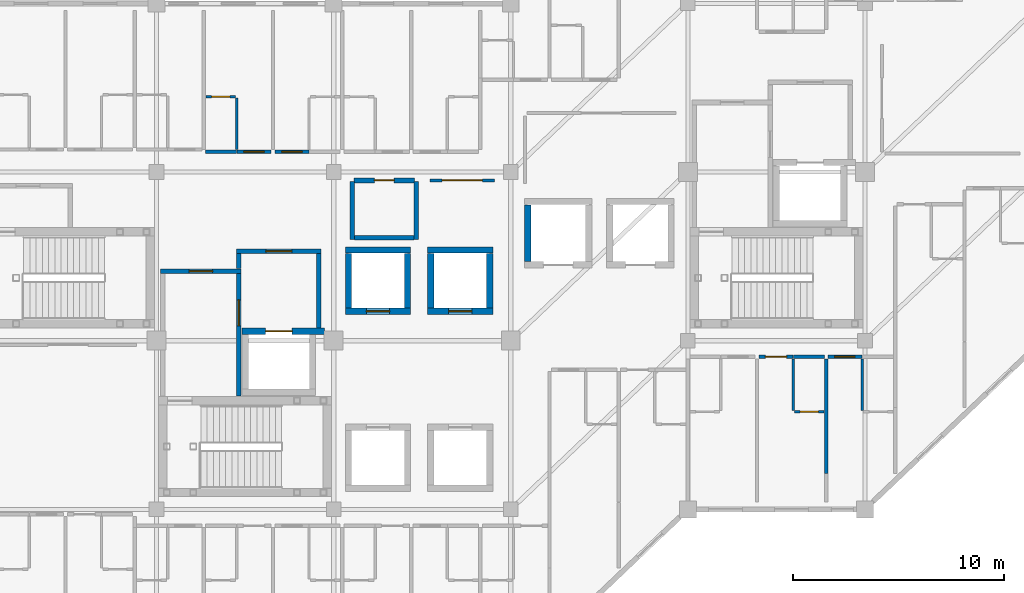
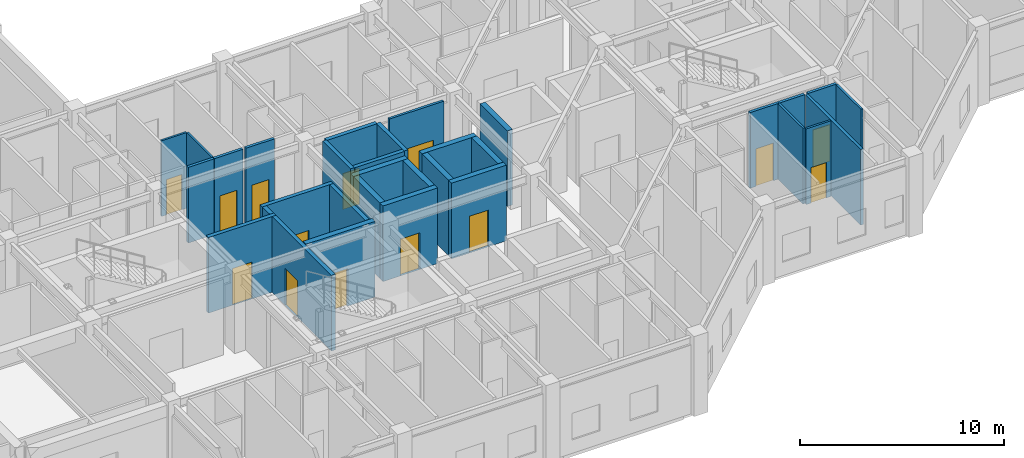
# One storey, part 26 of 37: 32 walls, 14 doors, 14 openings.
"""IFC4 building model written with IfcOpenShell, lengths in metres."""

import ifcopenshell
import ifcopenshell.guid

model = None  # the IFC model being written
_history = None  # IfcOwnerHistory: only IFC2X3 demands one
_inside = {}  # id of a spatial element -> (the spatial element, [elements in it])
_under = {}  # id of a project, library or spatial element -> (it, [spatial elements below it])
_declared = {}  # id of a project -> (the project, [libraries it declares])
_typed = {}  # id of a type object -> (the type object, [elements of that type])
_made_of = {}  # id of a material, layer set ... -> (it, [elements and type objects made of it])


def new_model(schema):
    """Start an empty IFC model of exactly this schema.

    Asked for "IFC4X3", IfcOpenShell would pick the latest addendum, in which some entities
    have other attributes; the version numbers below select the first issue.
    IFC2X3 requires an IfcOwnerHistory on every rooted entity: one is made here for all.
    """
    global model, _history
    if schema == "IFC4X3":
        model = ifcopenshell.file(schema_version=(4, 3, 0, 0))
    else:
        model = ifcopenshell.file(schema=schema)
    _inside.clear()
    _under.clear()
    _declared.clear()
    _typed.clear()
    _made_of.clear()
    _history = None
    if model.schema == "IFC2X3":
        org = make("IfcOrganization", Name="unknown")
        user = make(
            "IfcPersonAndOrganization",
            ThePerson=make("IfcPerson", FamilyName="unknown"),
            TheOrganization=org,
        )
        app = make(
            "IfcApplication",
            ApplicationDeveloper=org,
            Version="unknown",
            ApplicationFullName="unknown",
            ApplicationIdentifier="unknown",
        )
        _history = make(
            "IfcOwnerHistory",
            OwningUser=user,
            OwningApplication=app,
            ChangeAction="ADDED",
            CreationDate=0,
        )
    return model


def make(cls, **values):
    """One entity of the class cls with the attributes given. An attribute that is None is left unset."""
    return model.create_entity(
        cls, **{name: value for name, value in values.items() if value is not None}
    )


def rooted(cls, **values):
    """An entity with a GlobalId (a new one), such as an element, a storey or a relation."""
    return make(cls, GlobalId=ifcopenshell.guid.new(), OwnerHistory=_history, **values)


def si_unit(unit_type, name, prefix=None):
    """IfcSIUnit, for example si_unit("LENGTHUNIT", "METRE", prefix="MILLI")."""
    return make("IfcSIUnit", UnitType=unit_type, Prefix=prefix, Name=name)


def assignment(units):
    """IfcUnitAssignment: the units of a project."""
    return None if units is None else make("IfcUnitAssignment", Units=units)


def point(xyz):
    """IfcCartesianPoint."""
    return None if xyz is None else make("IfcCartesianPoint", Coordinates=xyz)


def direction(xyz):
    """IfcDirection."""
    return None if xyz is None else make("IfcDirection", DirectionRatios=xyz)


def frame(location, z_axis=None, x_axis=None):
    """IfcAxis2Placement3D, a coordinate frame: its origin and axes. An axis left out is left unset."""
    return make(
        "IfcAxis2Placement3D",
        Location=point(location),
        Axis=direction(z_axis),
        RefDirection=direction(x_axis),
    )


def frame_2d(location, x_axis=None):
    """IfcAxis2Placement2D, a coordinate frame in the plane: its origin and x axis."""
    return make(
        "IfcAxis2Placement2D", Location=point(location), RefDirection=direction(x_axis)
    )


def origin():
    """The frame at (0, 0, 0) with its axes left unset."""
    return frame((0.0, 0.0, 0.0))


def place(relative_to, where):
    """IfcLocalPlacement: puts the frame where relative to a parent placement (None: the world)."""
    return make(
        "IfcLocalPlacement", PlacementRelTo=relative_to, RelativePlacement=where
    )


def context(
    kind, dimensions, precision=None, world=None, true_north=None, identifier=None
):
    """IfcGeometricRepresentationContext, for example the 3D "Model" context."""
    return make(
        "IfcGeometricRepresentationContext",
        ContextIdentifier=identifier,
        ContextType=kind,
        CoordinateSpaceDimension=dimensions,
        Precision=precision,
        WorldCoordinateSystem=world,
        TrueNorth=true_north,
    )


def subcontext(parent, identifier, kind, view, scale=None):
    """IfcGeometricRepresentationSubContext, for example "Body" below "Model"."""
    return make(
        "IfcGeometricRepresentationSubContext",
        ContextIdentifier=identifier,
        ContextType=kind,
        ParentContext=parent,
        TargetScale=scale,
        TargetView=view,
    )


def project(units=None, contexts=None):
    """IfcProject with its units and contexts."""
    return rooted(
        "IfcProject",
        Name="project",
        RepresentationContexts=contexts,
        UnitsInContext=assignment(units),
    )


def spatial(cls, under=None, at=None, **own):
    """A site, building, storey or space (cls), placed at a placement, below another one or the project."""
    s = rooted(cls, ObjectPlacement=at, **own)
    if under is not None:
        _under.setdefault(under.id(), (under, []))[1].append(s)
    return s


def profile(cls, at=None, kind="AREA", **sizes):
    """A parametric profile (cls). Its sizes go by their IFC names, for example OverallWidth=200.0."""
    return make(cls, ProfileType=kind, Position=at, **sizes)


def rectangle(**sizes):
    """IfcRectangleProfileDef."""
    return profile("IfcRectangleProfileDef", **sizes)


def extrude(swept, where, along, depth):
    """IfcExtrudedAreaSolid: the profile swept, set in the frame where, extruded along a direction by depth."""
    return make(
        "IfcExtrudedAreaSolid",
        SweptArea=swept,
        Position=where,
        ExtrudedDirection=direction(along),
        Depth=depth,
    )


def shape(context_of_items, identifier, shape_type, items):
    """IfcShapeRepresentation: the items that make up one representation, for example the "Body"."""
    return make(
        "IfcShapeRepresentation",
        ContextOfItems=context_of_items,
        RepresentationIdentifier=identifier,
        RepresentationType=shape_type,
        Items=items,
    )


def material(Name=None, Category=None):
    """IfcMaterial."""
    return make("IfcMaterial", Name=Name, Category=Category)


def layer(
    of_material, thickness, ventilated=None, Name=None, Category=None, Priority=None
):
    """IfcMaterialLayer: one layer of a wall or slab, of a material (None: an air gap)."""
    return make(
        "IfcMaterialLayer",
        Material=of_material,
        LayerThickness=thickness,
        IsVentilated=ventilated,
        Name=Name,
        Category=Category,
        Priority=Priority,
    )


def layer_set(layers, Name=None):
    """IfcMaterialLayerSet."""
    return make("IfcMaterialLayerSet", MaterialLayers=layers, LayerSetName=Name)


def made_of(thing, what):
    """Note that an element or type object is made of a material, layer set ...; save() writes the relation."""
    if what is not None:
        _made_of.setdefault(what.id(), (what, []))[1].append(thing)
    return thing


def type_object(cls, material=None, **own):
    """A type object (cls), such as IfcWallType, which elements share."""
    return made_of(rooted(cls, **own), material)


def element(
    cls,
    number,
    at=None,
    inside=None,
    cuts=None,
    type_object=None,
    material=None,
    context=None,
    identifier="Body",
    shape_type=None,
    held_by="IfcProductDefinitionShape",
    body=None,
    shapes=None,
    **own,
):
    """One element of the class cls, such as IfcWall. Its Tag is "e" and its number.

    at: its placement. inside: the storey or other place that contains it. cuts: it is an
    opening in that element (IfcRelVoidsElement). A single representation is given by context,
    identifier, shape_type and body (its items); several are given by shapes. held_by: the class
    of the entity that holds the representations. save() writes the other relations.
    """
    e = rooted(cls, Tag="e%d" % number, ObjectPlacement=at, **own)
    if body is not None:
        shapes = [shape(context, identifier, shape_type, body)]
    if shapes is not None:
        e.Representation = make(held_by, Representations=shapes)
    if inside is not None:
        _inside.setdefault(inside.id(), (inside, []))[1].append(e)
    if cuts is not None:
        rooted(
            "IfcRelVoidsElement", RelatingBuildingElement=cuts, RelatedOpeningElement=e
        )
    if type_object is not None:
        _typed.setdefault(type_object.id(), (type_object, []))[1].append(e)
    return made_of(e, material)


def fill(opening, filler):
    """IfcRelFillsElement: the door or window that sits in an opening."""
    return rooted(
        "IfcRelFillsElement",
        RelatingOpeningElement=opening,
        RelatedBuildingElement=filler,
    )


def aggregate(whole, parts):
    """IfcRelAggregates: a whole, such as a stair, and the parts it consists of."""
    return rooted("IfcRelAggregates", RelatingObject=whole, RelatedObjects=parts)


def save(model, path):
    """Write the relations noted so far, then the file.

    IfcRelAggregates (storeys below a building ...), IfcRelContainedInSpatialStructure (elements
    in a storey), IfcRelDefinesByType, IfcRelAssociatesMaterial and IfcRelDeclares: one each for
    every whole, place, type object, material and project.
    """
    for whole, parts in _under.values():
        aggregate(whole, parts)
    for where, things in _inside.values():
        rooted(
            "IfcRelContainedInSpatialStructure",
            RelatedElements=things,
            RelatingStructure=where,
        )
    for kind, things in _typed.values():
        rooted("IfcRelDefinesByType", RelatedObjects=things, RelatingType=kind)
    for what, things in _made_of.values():
        rooted("IfcRelAssociatesMaterial", RelatedObjects=things, RelatingMaterial=what)
    for by, libraries in _declared.values():
        rooted("IfcRelDeclares", RelatingContext=by, RelatedDefinitions=libraries)
    model.write(path)


model = new_model("IFC4")

# Units and contexts
model_context = context("Model", 3, precision=1e-05, world=origin(), true_north=direction((0.0, 1.0)))
body_context = subcontext(model_context, "Body", "Model", "MODEL_VIEW")
ifc_project = project(units=[si_unit("LENGTHUNIT", "METRE"), si_unit("AREAUNIT", "SQUARE_METRE"), si_unit("VOLUMEUNIT", "CUBIC_METRE"), si_unit("PLANEANGLEUNIT", "RADIAN"), si_unit("MASSUNIT", "GRAM", prefix="KILO")], contexts=[model_context])

# Site, building, storey
site_placement = place(None, origin())
site = spatial("IfcSite", under=ifc_project, at=site_placement, CompositionType="ELEMENT")
building_placement = place(site_placement, origin())
building = spatial("IfcBuilding", under=site, at=building_placement, Name="Naruveol Harbour Congress Hotel", CompositionType="ELEMENT")
storey_placement = place(building_placement, frame((0.0, 0.0, 16.199951171875)))
storey = spatial("IfcBuildingStorey", under=building, at=storey_placement, Name="L03", CompositionType="ELEMENT", Elevation=16.199951171875)

# Wall, opening, door
ifc_material_1 = material(Name="Acoustic Double Stud Gypsum", Category="gypsum")
ifc_layer_1 = layer(ifc_material_1, 0.139892578125)
ifc_layer_set_1 = layer_set([ifc_layer_1], Name="Acoustic Double Stud Gypsum")
wall_type_1 = type_object("IfcWallType", Name="ACOUSTIC MEETING PARTITION WALL 140", PredefinedType="PARTITIONING", material=ifc_layer_set_1)
wall_1_placement = place(storey_placement, frame((138.9599609375, 23.60009765625, 0.0), z_axis=(0.0, 0.0, 1.0), x_axis=(1.0, 0.0, 0.0)))
wall_1 = element("IfcWall", 1, at=wall_1_placement, inside=storey, type_object=wall_type_1, Name="Reading Salon north entry wall PW-140", PredefinedType="PARTITIONING", context=body_context, shape_type="SweptSolid", body=[
    extrude(rectangle(XDim=3.080078125, YDim=0.139892578125, at=frame_2d((1.5400390625, 0.0))), origin(), (0.0, 0.0, 1.0), 4.53515625),
])
opening_1_placement = place(wall_1_placement, frame((0.590087890625, 0.0, 0.0)))
opening_1 = element("IfcOpeningElement", 2, at=opening_1_placement, cuts=wall_1, Name="Opening ID-LG-90", PredefinedType="OPENING", context=body_context, shape_type="SweptSolid", body=[
    extrude(rectangle(XDim=1.89990234375, YDim=2.39990234375, at=frame_2d((0.949951171875, 1.199951171875))), frame((0.0, 0.079833984375, 0.0), z_axis=(0.0, -1.0, 0.0), x_axis=(1.0, 0.0, 0.0)), (0.0, 0.0, 1.0), 0.159912109375),
])
ifc_material_2 = material(Name="Timber & Steel Acoustic Leaf", Category="steel")
door_type_1 = type_object("IfcDoorType", Name="RESTAURANT AND LOUNGE GLAZED DOOR 1900X2400", OperationType="DOUBLE_DOOR_SINGLE_SWING", PredefinedType="DOOR", material=ifc_material_2)
door_1_placement = place(opening_1_placement, origin())
door_1 = element("IfcDoor", 3, at=door_1_placement, inside=storey, type_object=door_type_1, Name="Reading Salon Entrance Door", OperationType="DOUBLE_DOOR_SINGLE_SWING", OverallHeight=2.39990234375, OverallWidth=1.89990234375, PredefinedType="DOOR", context=body_context, shape_type="SweptSolid", body=[
    extrude(rectangle(XDim=1.89990234375, YDim=2.39990234375, at=frame_2d((0.949951171875, 1.199951171875))), frame((0.0, 0.02490234375, 0.0), z_axis=(0.0, -1.0, 0.0), x_axis=(1.0, 0.0, 0.0)), (0.0, 0.0, 1.0), 0.050048828125),
])
fill(opening_1, door_1)

# Wall
ifc_material_3 = material(Name="Moisture-Resistant Gypsum Partition", Category="gypsum")
ifc_layer_2 = layer(ifc_material_3, 0.114990234375)
ifc_layer_set_2 = layer_set([ifc_layer_2], Name="Moisture-Resistant Gypsum Partition")
wall_type_2 = type_object("IfcWallType", Name="BATHROOM MOISTURE PARTITION WALL 115", PredefinedType="PARTITIONING", material=ifc_layer_set_2)
wall_2_placement = place(storey_placement, frame((129.81005859375, 25.06005859375, 0.0), z_axis=(0.0, 0.0, 1.0), x_axis=(0.0, 1.0, 0.0)))
element("IfcWall", 4, at=wall_2_placement, inside=storey, type_object=wall_type_2, Name="Bathroom east wall 0460 PW-115", PredefinedType="PARTITIONING", context=body_context, shape_type="SweptSolid", body=[
    extrude(rectangle(XDim=2.449951171875, YDim=0.114990234375, at=frame_2d((1.22509765625, 0.0))), origin(), (0.0, 0.0, 1.0), 4.53515625),
])

# Wall, opening, door
wall_3_placement = place(storey_placement, frame((128.340087890625, 27.570068359375, 0.0), z_axis=(0.0, 0.0, 1.0), x_axis=(1.0, 0.0, 0.0)))
wall_3 = element("IfcWall", 5, at=wall_3_placement, inside=storey, type_object=wall_type_2, Name="Bathroom north wall 0460 PW-115", PredefinedType="PARTITIONING", context=body_context, shape_type="SweptSolid", body=[
    extrude(rectangle(XDim=1.409912109375, YDim=0.114990234375, at=frame_2d((0.705078125, 0.0))), origin(), (0.0, 0.0, 1.0), 4.53515625),
])
opening_2_placement = place(wall_3_placement, frame((0.27490234375, 0.0, 0.0)))
opening_2 = element("IfcOpeningElement", 6, at=opening_2_placement, cuts=wall_3, Name="Opening BD-RM0460", PredefinedType="OPENING", context=body_context, shape_type="SweptSolid", body=[
    extrude(rectangle(XDim=0.860107421875, YDim=2.1201171875, at=frame_2d((0.43017578125, 1.06005859375))), frame((0.0, 0.0673828125, 0.0), z_axis=(0.0, -1.0, 0.0), x_axis=(1.0, 0.0, 0.0)), (0.0, 0.0, 1.0), 0.135009765625),
])
ifc_material_4 = material(Name="Timber & Steel Acoustic Leaf", Category="steel")
door_type_2 = type_object("IfcDoorType", Name="GUEST BATHROOM DOOR 860X2120", OperationType="NOTDEFINED", PredefinedType="DOOR", material=ifc_material_4)
door_2_placement = place(opening_2_placement, origin())
door_2 = element("IfcDoor", 7, at=door_2_placement, inside=storey, type_object=door_type_2, Name="Bathroom Door 0460", OperationType="SINGLE_SWING_RIGHT", OverallHeight=2.1201171875, OverallWidth=0.860107421875, PredefinedType="DOOR", context=body_context, shape_type="SweptSolid", body=[
    extrude(rectangle(XDim=0.860107421875, YDim=2.1201171875, at=frame_2d((0.43017578125, 1.06005859375))), frame((0.0, 0.02490234375, 0.0), z_axis=(0.0, -1.0, 0.0), x_axis=(1.0, 0.0, 0.0)), (0.0, 0.0, 1.0), 0.050048828125),
])
fill(opening_2, door_2)

# Wall
wall_4_placement = place(storey_placement, frame((156.18994140625, 12.68994140625, 0.0), z_axis=(0.0, 0.0, 1.0), x_axis=(0.0, 1.0, 0.0)))
element("IfcWall", 8, at=wall_4_placement, inside=storey, type_object=wall_type_2, Name="Bathroom west wall 0448 PW-115", PredefinedType="PARTITIONING", context=body_context, shape_type="SweptSolid", body=[
    extrude(rectangle(XDim=2.449951171875, YDim=0.114990234375, at=frame_2d((1.22509765625, 0.0))), origin(), (0.0, 0.0, 1.0), 4.53515625),
])

# Wall, opening, door
wall_5_placement = place(storey_placement, frame((156.25, 12.6298828125, 0.0), z_axis=(0.0, 0.0, 1.0), x_axis=(1.0, 0.0, 0.0)))
wall_5 = element("IfcWall", 9, at=wall_5_placement, inside=storey, type_object=wall_type_2, Name="Bathroom south wall 0448 PW-115", PredefinedType="PARTITIONING", context=body_context, shape_type="SweptSolid", body=[
    extrude(rectangle(XDim=1.409912109375, YDim=0.114990234375, at=frame_2d((0.705078125, 0.0))), origin(), (0.0, 0.0, 1.0), 4.53515625),
])
opening_3_placement = place(wall_5_placement, frame((0.27490234375, 0.0, 0.0)))
opening_3 = element("IfcOpeningElement", 10, at=opening_3_placement, cuts=wall_5, Name="Opening BD-RM0448", PredefinedType="OPENING", context=body_context, shape_type="SweptSolid", body=[
    extrude(rectangle(XDim=0.860107421875, YDim=2.1201171875, at=frame_2d((0.43017578125, 1.06005859375))), frame((0.0, 0.0673828125, 0.0), z_axis=(0.0, -1.0, 0.0), x_axis=(1.0, 0.0, 0.0)), (0.0, 0.0, 1.0), 0.135009765625),
])
door_3_placement = place(opening_3_placement, origin())
door_3 = element("IfcDoor", 11, at=door_3_placement, inside=storey, type_object=door_type_2, Name="Bathroom Door 0448", OperationType="SINGLE_SWING_RIGHT", OverallHeight=2.1201171875, OverallWidth=0.860107421875, PredefinedType="DOOR", context=body_context, shape_type="SweptSolid", body=[
    extrude(rectangle(XDim=0.860107421875, YDim=2.1201171875, at=frame_2d((0.43017578125, 1.06005859375))), frame((0.0, 0.02490234375, 0.0), z_axis=(0.0, -1.0, 0.0), x_axis=(1.0, 0.0, 0.0)), (0.0, 0.0, 1.0), 0.050048828125),
])
fill(opening_3, door_3)

# Wall
wall_6_placement = place(storey_placement, frame((159.469970703125, 12.68994140625, 0.0), z_axis=(0.0, 0.0, 1.0), x_axis=(0.0, 1.0, 0.0)))
element("IfcWall", 12, at=wall_6_placement, inside=storey, type_object=wall_type_2, Name="Bathroom west wall 0449 PW-115", PredefinedType="PARTITIONING", context=body_context, shape_type="SweptSolid", body=[
    extrude(rectangle(XDim=2.449951171875, YDim=0.114990234375, at=frame_2d((1.22509765625, 0.0))), origin(), (0.0, 0.0, 1.0), 4.53515625),
])

# Wall, opening, door
ifc_material_5 = material(Name="Concrete C40/50", Category="concrete")
ifc_layer_3 = layer(ifc_material_5, 0.219970703125)
ifc_layer_set_3 = layer_set([ifc_layer_3], Name="Concrete C40/50")
wall_type_3 = type_object("IfcWallType", Name="FIRE COMPARTMENT AND LOBBY WALL 220 EI120", PredefinedType="PARTITIONING", material=ifc_layer_set_3)
wall_7_placement = place(storey_placement, frame((126.18994140625, 19.300048828125, 0.0), z_axis=(0.0, 0.0, 1.0), x_axis=(1.0, 0.0, 0.0)))
wall_7 = element("IfcWall", 13, at=wall_7_placement, inside=storey, type_object=wall_type_3, Name="Smoke vestibule ST1 north wall FW-220", PredefinedType="PARTITIONING", context=body_context, shape_type="SweptSolid", body=[
    extrude(rectangle(XDim=3.820068359375, YDim=0.219970703125, at=frame_2d((1.91015625, 0.0))), origin(), (0.0, 0.0, 1.0), 4.53515625),
])
opening_4_placement = place(wall_7_placement, frame((1.35009765625, 0.0, 0.0)))
opening_4 = element("IfcOpeningElement", 14, at=opening_4_placement, cuts=wall_7, Name="Opening FD-ST1-V-L03", PredefinedType="OPENING", context=body_context, shape_type="SweptSolid", body=[
    extrude(rectangle(XDim=1.1201171875, YDim=2.199951171875, at=frame_2d((0.56005859375, 1.10009765625))), frame((0.0, 0.119873046875, 0.0), z_axis=(0.0, -1.0, 0.0), x_axis=(1.0, 0.0, 0.0)), (0.0, 0.0, 1.0), 0.239990234375),
])
ifc_material_6 = material(Name="Timber & Steel Acoustic Leaf", Category="steel")
door_type_3 = type_object("IfcDoorType", Name="VESTIBULE SMOKE CONTROL FIRE DOOR 1120X2200", OperationType="NOTDEFINED", PredefinedType="DOOR", material=ifc_material_6)
door_4_placement = place(opening_4_placement, origin())
door_4 = element("IfcDoor", 15, at=door_4_placement, inside=storey, type_object=door_type_3, Name="Smoke Vestibule Entry Door ST1 L03", OperationType="SINGLE_SWING_LEFT", OverallHeight=2.199951171875, OverallWidth=1.1201171875, PredefinedType="DOOR", context=body_context, shape_type="SweptSolid", body=[
    extrude(rectangle(XDim=1.1201171875, YDim=2.199951171875, at=frame_2d((0.56005859375, 1.10009765625))), frame((0.0, 0.02490234375, 0.0), z_axis=(0.0, -1.0, 0.0), x_axis=(1.0, 0.0, 0.0)), (0.0, 0.0, 1.0), 0.050048828125),
])
fill(opening_4, door_4)

wall_8_placement = place(storey_placement, frame((129.89990234375, 13.364990234375, 0.0), z_axis=(0.0, 0.0, 1.0), x_axis=(0.0, 1.0, 0.0)))
wall_8 = element("IfcWall", 16, at=wall_8_placement, inside=storey, type_object=wall_type_3, Name="Smoke vestibule ST1 east wall FW-220", PredefinedType="PARTITIONING", context=body_context, shape_type="SweptSolid", body=[
    extrude(rectangle(XDim=5.820068359375, YDim=0.219970703125, at=frame_2d((2.91015625, 0.0))), origin(), (0.0, 0.0, 1.0), 4.53515625),
])
opening_5_placement = place(wall_8_placement, frame((3.3349609375, 0.0, 0.0)))
opening_5 = element("IfcOpeningElement", 17, at=opening_5_placement, cuts=wall_8, Name="Opening FD-FFL-ST1-L03", PredefinedType="OPENING", context=body_context, shape_type="SweptSolid", body=[
    extrude(rectangle(XDim=1.239990234375, YDim=2.199951171875, at=frame_2d((0.6201171875, 1.10009765625))), frame((0.0, 0.119873046875, 0.0), z_axis=(0.0, -1.0, 0.0), x_axis=(1.0, 0.0, 0.0)), (0.0, 0.0, 1.0), 0.239990234375),
])
ifc_material_7 = material(Name="Timber & Steel Acoustic Leaf", Category="steel")
door_type_4 = type_object("IfcDoorType", Name="FIREFIGHTING LOBBY FIRE DOOR 1240X2200", OperationType="NOTDEFINED", PredefinedType="DOOR", material=ifc_material_7)
door_5_placement = place(opening_5_placement, origin())
door_5 = element("IfcDoor", 18, at=door_5_placement, inside=storey, type_object=door_type_4, Name="Firefighting Lobby Vestibule Door ST1 L03", OperationType="SINGLE_SWING_RIGHT", OverallHeight=2.199951171875, OverallWidth=1.239990234375, PredefinedType="DOOR", context=body_context, shape_type="SweptSolid", body=[
    extrude(rectangle(XDim=1.239990234375, YDim=2.199951171875, at=frame_2d((0.6201171875, 1.10009765625))), frame((0.0, 0.02490234375, 0.0), z_axis=(0.0, -1.0, 0.0), x_axis=(1.0, 0.0, 0.0)), (0.0, 0.0, 1.0), 0.050048828125),
])
fill(opening_5, door_5)

# Walls
wall_9_placement = place(storey_placement, frame((129.89990234375, 19.4150390625, 0.0), z_axis=(0.0, 0.0, 1.0), x_axis=(0.0, 1.0, 0.0)))
element("IfcWall", 19, at=wall_9_placement, inside=storey, type_object=wall_type_3, Name="Firefighting lift lobby ST1 upper west wall FW-220", PredefinedType="PARTITIONING", context=body_context, shape_type="SweptSolid", body=[
    extrude(rectangle(XDim=0.719970703125, YDim=0.219970703125, at=frame_2d((0.35986328125, 0.0))), origin(), (0.0, 0.0, 1.0), 4.53515625),
])
wall_10_placement = place(storey_placement, frame((133.699951171875, 16.60498046875, 0.0), z_axis=(0.0, 0.0, 1.0), x_axis=(0.0, 1.0, 0.0)))
element("IfcWall", 20, at=wall_10_placement, inside=storey, type_object=wall_type_3, Name="Firefighting lift lobby ST1 east wall FW-220", PredefinedType="PARTITIONING", context=body_context, shape_type="SweptSolid", body=[
    extrude(rectangle(XDim=3.530029296875, YDim=0.219970703125, at=frame_2d((1.76513671875, 0.0))), origin(), (0.0, 0.0, 1.0), 4.53515625),
])

# Wall, opening, door
wall_11_placement = place(storey_placement, frame((129.7900390625, 20.25, 0.0), z_axis=(0.0, 0.0, 1.0), x_axis=(1.0, 0.0, 0.0)))
wall_11 = element("IfcWall", 21, at=wall_11_placement, inside=storey, type_object=wall_type_3, Name="Firefighting lift lobby ST1 north wall FW-220", PredefinedType="PARTITIONING", context=body_context, shape_type="SweptSolid", body=[
    extrude(rectangle(XDim=4.02001953125, YDim=0.219970703125, at=frame_2d((2.010009765625, 0.0))), origin(), (0.0, 0.0, 1.0), 4.53515625),
])
opening_6_placement = place(wall_11_placement, frame((1.389892578125, 0.0, 0.0)))
opening_6 = element("IfcOpeningElement", 22, at=opening_6_placement, cuts=wall_11, Name="Opening FD-FFC-ST1-L03", PredefinedType="OPENING", context=body_context, shape_type="SweptSolid", body=[
    extrude(rectangle(XDim=1.239990234375, YDim=2.199951171875, at=frame_2d((0.6201171875, 1.10009765625))), frame((0.0, 0.119873046875, 0.0), z_axis=(0.0, -1.0, 0.0), x_axis=(1.0, 0.0, 0.0)), (0.0, 0.0, 1.0), 0.239990234375),
])
door_6_placement = place(opening_6_placement, origin())
door_6 = element("IfcDoor", 23, at=door_6_placement, inside=storey, type_object=door_type_4, Name="Firefighting Lobby Corridor Door ST1 L03", OperationType="SINGLE_SWING_LEFT", OverallHeight=2.199951171875, OverallWidth=1.239990234375, PredefinedType="DOOR", context=body_context, shape_type="SweptSolid", body=[
    extrude(rectangle(XDim=1.239990234375, YDim=2.199951171875, at=frame_2d((0.6201171875, 1.10009765625))), frame((0.0, 0.02490234375, 0.0), z_axis=(0.0, -1.0, 0.0), x_axis=(1.0, 0.0, 0.0)), (0.0, 0.0, 1.0), 0.050048828125),
])
fill(opening_6, door_6)

wall_12_placement = place(storey_placement, frame((135.360107421875, 23.60009765625, 0.0), z_axis=(0.0, 0.0, 1.0), x_axis=(1.0, 0.0, 0.0)))
wall_12 = element("IfcWall", 24, at=wall_12_placement, inside=storey, type_object=wall_type_3, Name="Housekeeping Pantry north entry wall FW-220", PredefinedType="PARTITIONING", context=body_context, shape_type="SweptSolid", body=[
    extrude(rectangle(XDim=2.8798828125, YDim=0.219970703125, at=frame_2d((1.43994140625, 0.0))), origin(), (0.0, 0.0, 1.0), 4.53515625),
])
opening_7_placement = place(wall_12_placement, frame((0.969970703125, 0.0, 0.0)))
opening_7 = element("IfcOpeningElement", 25, at=opening_7_placement, cuts=wall_12, Name="Opening FD-ST-92", PredefinedType="OPENING", context=body_context, shape_type="SweptSolid", body=[
    extrude(rectangle(XDim=0.93994140625, YDim=2.14990234375, at=frame_2d((0.469970703125, 1.074951171875))), frame((0.0, 0.119873046875, 0.0), z_axis=(0.0, -1.0, 0.0), x_axis=(1.0, 0.0, 0.0)), (0.0, 0.0, 1.0), 0.239990234375),
])
ifc_material_8 = material(Name="Timber & Steel Acoustic Leaf", Category="steel")
door_type_5 = type_object("IfcDoorType", Name="HOUSEKEEPING AND STORE FIRE DOOR 940X2150", OperationType="NOTDEFINED", PredefinedType="DOOR", material=ifc_material_8)
door_7_placement = place(opening_7_placement, origin())
door_7 = element("IfcDoor", 26, at=door_7_placement, inside=storey, type_object=door_type_5, Name="Housekeeping Pantry Fire Door", OperationType="SINGLE_SWING_RIGHT", OverallHeight=2.14990234375, OverallWidth=0.93994140625, PredefinedType="DOOR", context=body_context, shape_type="SweptSolid", body=[
    extrude(rectangle(XDim=0.93994140625, YDim=2.14990234375, at=frame_2d((0.469970703125, 1.074951171875))), frame((0.0, 0.02490234375, 0.0), z_axis=(0.0, -1.0, 0.0), x_axis=(1.0, 0.0, 0.0)), (0.0, 0.0, 1.0), 0.050048828125),
])
fill(opening_7, door_7)

# Walls
for number, where, z_axis, x_axis, name in (
    (27, (135.280029296875, 20.800048828125, 0.0), (0.0, 0.0, 1.0), (0.0, 1.0, 0.0), "Housekeeping Pantry west enclosure partition FW-220"),
    (28, (138.320068359375, 20.800048828125, 0.0), (0.0, 0.0, 1.0), (0.0, 1.0, 0.0), "Housekeeping Pantry east enclosure partition FW-220"),
):
    element("IfcWall", number, at=place(storey_placement, frame(where, z_axis=z_axis, x_axis=x_axis)), inside=storey, type_object=wall_type_3, Name=name, PredefinedType="PARTITIONING", context=body_context, shape_type="SweptSolid", body=[
        extrude(rectangle(XDim=2.748046875, YDim=0.219970703125, at=frame_2d((1.3740234375, 0.0))), origin(), (0.0, 0.0, 1.0), 4.53515625),
    ])
wall_13_placement = place(storey_placement, frame((135.389892578125, 20.8798828125, 0.0), z_axis=(0.0, 0.0, 1.0), x_axis=(1.0, 0.0, 0.0)))
element("IfcWall", 29, at=wall_13_placement, inside=storey, type_object=wall_type_3, Name="Housekeeping Pantry south enclosure partition FW-220", PredefinedType="PARTITIONING", context=body_context, shape_type="SweptSolid", body=[
    extrude(rectangle(XDim=2.820068359375, YDim=0.219970703125, at=frame_2d((1.41015625, 0.0))), origin(), (0.0, 0.0, 1.0), 4.53515625),
])
ifc_material_9 = material(Name="Autoclaved Aerated Concrete Block", Category="concrete")
ifc_layer_4 = layer(ifc_material_9, 0.159912109375)
ifc_layer_set_4 = layer_set([ifc_layer_4], Name="Autoclaved Aerated Concrete Block")
wall_type_4 = type_object("IfcWallType", Name="HOTEL PARTY AND CORRIDOR WALL 160 EI60", PredefinedType="PARTITIONING", material=ifc_layer_set_4)
wall_14_placement = place(storey_placement, frame((128.330078125, 24.969970703125, 0.0), z_axis=(0.0, 0.0, 1.0), x_axis=(1.0, 0.0, 0.0)))
element("IfcWall", 30, at=wall_14_placement, inside=storey, type_object=wall_type_4, Name="Corridor wall 0460B PW-160", PredefinedType="PARTITIONING", context=body_context, shape_type="SweptSolid", body=[
    extrude(rectangle(XDim=1.469970703125, YDim=0.159912109375, at=frame_2d((0.73486328125, 0.0))), origin(), (0.0, 0.0, 1.0), 4.53515625),
])

# Wall, opening, door
wall_15_placement = place(storey_placement, frame((129.81005859375, 24.969970703125, 0.0), z_axis=(0.0, 0.0, 1.0), x_axis=(1.0, 0.0, 0.0)))
wall_15 = element("IfcWall", 31, at=wall_15_placement, inside=storey, type_object=wall_type_4, Name="Corridor entry wall 0460 PW-160", PredefinedType="PARTITIONING", context=body_context, shape_type="SweptSolid", body=[
    extrude(rectangle(XDim=1.619873046875, YDim=0.159912109375, at=frame_2d((0.81005859375, 0.0))), origin(), (0.0, 0.0, 1.0), 4.53515625),
])
opening_8_placement = place(wall_15_placement, frame((0.330078125, 0.0, 0.0)))
opening_8 = element("IfcOpeningElement", 32, at=opening_8_placement, cuts=wall_15, Name="Opening FD-RM0460", PredefinedType="OPENING", context=body_context, shape_type="SweptSolid", body=[
    extrude(rectangle(XDim=0.9599609375, YDim=2.199951171875, at=frame_2d((0.47998046875, 1.10009765625))), frame((0.0, 0.08984375, 0.0), z_axis=(0.0, -1.0, 0.0), x_axis=(1.0, 0.0, 0.0)), (0.0, 0.0, 1.0), 0.179931640625),
])
ifc_material_10 = material(Name="Timber & Steel Acoustic Leaf", Category="steel")
door_type_6 = type_object("IfcDoorType", Name="GUEST ROOM ENTRANCE FIRE DOOR 960X2200", OperationType="NOTDEFINED", PredefinedType="DOOR", material=ifc_material_10)
door_8_placement = place(opening_8_placement, origin())
door_8 = element("IfcDoor", 33, at=door_8_placement, inside=storey, type_object=door_type_6, Name="Hotel Room Door 0460", OperationType="SINGLE_SWING_LEFT", OverallHeight=2.199951171875, OverallWidth=0.9599609375, PredefinedType="DOOR", context=body_context, shape_type="SweptSolid", body=[
    extrude(rectangle(XDim=0.9599609375, YDim=2.199951171875, at=frame_2d((0.47998046875, 1.10009765625))), frame((0.0, 0.02490234375, 0.0), z_axis=(0.0, -1.0, 0.0), x_axis=(1.0, 0.0, 0.0)), (0.0, 0.0, 1.0), 0.050048828125),
])
fill(opening_8, door_8)

wall_16_placement = place(storey_placement, frame((131.610107421875, 24.969970703125, 0.0), z_axis=(0.0, 0.0, 1.0), x_axis=(1.0, 0.0, 0.0)))
wall_16 = element("IfcWall", 34, at=wall_16_placement, inside=storey, type_object=wall_type_4, Name="Corridor entry wall 0461 PW-160", PredefinedType="PARTITIONING", context=body_context, shape_type="SweptSolid", body=[
    extrude(rectangle(XDim=1.619873046875, YDim=0.159912109375, at=frame_2d((0.81005859375, 0.0))), origin(), (0.0, 0.0, 1.0), 4.53515625),
])
opening_9_placement = place(wall_16_placement, frame((0.330078125, 0.0, 0.0)))
opening_9 = element("IfcOpeningElement", 35, at=opening_9_placement, cuts=wall_16, Name="Opening FD-RM0461", PredefinedType="OPENING", context=body_context, shape_type="SweptSolid", body=[
    extrude(rectangle(XDim=0.9599609375, YDim=2.199951171875, at=frame_2d((0.47998046875, 1.10009765625))), frame((0.0, 0.08984375, 0.0), z_axis=(0.0, -1.0, 0.0), x_axis=(1.0, 0.0, 0.0)), (0.0, 0.0, 1.0), 0.179931640625),
])
door_9_placement = place(opening_9_placement, origin())
door_9 = element("IfcDoor", 36, at=door_9_placement, inside=storey, type_object=door_type_6, Name="Hotel Room Door 0461", OperationType="SINGLE_SWING_LEFT", OverallHeight=2.199951171875, OverallWidth=0.9599609375, PredefinedType="DOOR", context=body_context, shape_type="SweptSolid", body=[
    extrude(rectangle(XDim=0.9599609375, YDim=2.199951171875, at=frame_2d((0.47998046875, 1.10009765625))), frame((0.0, 0.02490234375, 0.0), z_axis=(0.0, -1.0, 0.0), x_axis=(1.0, 0.0, 0.0)), (0.0, 0.0, 1.0), 0.050048828125),
])
fill(opening_9, door_9)

wall_17_placement = place(storey_placement, frame((154.570068359375, 15.22998046875, 0.0), z_axis=(0.0, 0.0, 1.0), x_axis=(1.0, 0.0, 0.0)))
wall_17 = element("IfcWall", 37, at=wall_17_placement, inside=storey, type_object=wall_type_4, Name="Corridor entry wall 0448 PW-160", PredefinedType="PARTITIONING", context=body_context, shape_type="SweptSolid", body=[
    extrude(rectangle(XDim=1.619873046875, YDim=0.159912109375, at=frame_2d((0.81005859375, 0.0))), origin(), (0.0, 0.0, 1.0), 4.53515625),
])
opening_10_placement = place(wall_17_placement, frame((0.31005859375, 0.0, 0.0)))
opening_10 = element("IfcOpeningElement", 38, at=opening_10_placement, cuts=wall_17, Name="Opening FD-RM0448", PredefinedType="OPENING", context=body_context, shape_type="SweptSolid", body=[
    extrude(rectangle(XDim=1.0, YDim=2.25, at=frame_2d((0.5, 1.125))), frame((0.0, 0.08984375, 0.0), z_axis=(0.0, -1.0, 0.0), x_axis=(1.0, 0.0, 0.0)), (0.0, 0.0, 1.0), 0.179931640625),
])
ifc_material_11 = material(Name="Timber & Steel Acoustic Leaf", Category="steel")
door_type_7 = type_object("IfcDoorType", Name="DELUXE GUEST ENTRANCE FIRE DOOR 1000X2250", OperationType="NOTDEFINED", PredefinedType="DOOR", material=ifc_material_11)
door_10_placement = place(opening_10_placement, origin())
door_10 = element("IfcDoor", 39, at=door_10_placement, inside=storey, type_object=door_type_7, Name="Hotel Room Door 0448", OperationType="SINGLE_SWING_LEFT", OverallHeight=2.25, OverallWidth=1.0, PredefinedType="DOOR", context=body_context, shape_type="SweptSolid", body=[
    extrude(rectangle(XDim=1.0, YDim=2.25, at=frame_2d((0.5, 1.125))), frame((0.0, 0.02490234375, 0.0), z_axis=(0.0, -1.0, 0.0), x_axis=(1.0, 0.0, 0.0)), (0.0, 0.0, 1.0), 0.050048828125),
])
fill(opening_10, door_10)

# Wall
wall_18_placement = place(storey_placement, frame((156.199951171875, 15.22998046875, 0.0), z_axis=(0.0, 0.0, 1.0), x_axis=(1.0, 0.0, 0.0)))
element("IfcWall", 40, at=wall_18_placement, inside=storey, type_object=wall_type_4, Name="Corridor wall 0448B PW-160", PredefinedType="PARTITIONING", context=body_context, shape_type="SweptSolid", body=[
    extrude(rectangle(XDim=1.469970703125, YDim=0.159912109375, at=frame_2d((0.73486328125, 0.0))), origin(), (0.0, 0.0, 1.0), 4.53515625),
])

# Wall, opening, door
wall_19_placement = place(storey_placement, frame((157.85009765625, 15.22998046875, 0.0), z_axis=(0.0, 0.0, 1.0), x_axis=(1.0, 0.0, 0.0)))
wall_19 = element("IfcWall", 41, at=wall_19_placement, inside=storey, type_object=wall_type_4, Name="Corridor entry wall 0449 PW-160", PredefinedType="PARTITIONING", context=body_context, shape_type="SweptSolid", body=[
    extrude(rectangle(XDim=1.619873046875, YDim=0.159912109375, at=frame_2d((0.81005859375, 0.0))), origin(), (0.0, 0.0, 1.0), 4.53515625),
])
opening_11_placement = place(wall_19_placement, frame((0.30810546875, 0.0, 0.0)))
opening_11 = element("IfcOpeningElement", 42, at=opening_11_placement, cuts=wall_19, Name="Opening FD-RM0449", PredefinedType="OPENING", context=body_context, shape_type="SweptSolid", body=[
    extrude(rectangle(XDim=0.9599609375, YDim=2.199951171875, at=frame_2d((0.47998046875, 1.10009765625))), frame((0.0, 0.08984375, 0.0), z_axis=(0.0, -1.0, 0.0), x_axis=(1.0, 0.0, 0.0)), (0.0, 0.0, 1.0), 0.179931640625),
])
door_11_placement = place(opening_11_placement, origin())
door_11 = element("IfcDoor", 43, at=door_11_placement, inside=storey, type_object=door_type_6, Name="Hotel Room Door 0449", OperationType="SINGLE_SWING_LEFT", OverallHeight=2.199951171875, OverallWidth=0.9599609375, PredefinedType="DOOR", context=body_context, shape_type="SweptSolid", body=[
    extrude(rectangle(XDim=0.9599609375, YDim=2.199951171875, at=frame_2d((0.47998046875, 1.10009765625))), frame((0.0, 0.02490234375, 0.0), z_axis=(0.0, -1.0, 0.0), x_axis=(1.0, 0.0, 0.0)), (0.0, 0.0, 1.0), 0.050048828125),
])
fill(opening_11, door_11)

# Wall
wall_20_placement = place(storey_placement, frame((157.760009765625, 9.7099609375, 0.0), z_axis=(0.0, 0.0, 1.0), x_axis=(0.0, 1.0, 0.0)))
element("IfcWall", 44, at=wall_20_placement, inside=storey, type_object=wall_type_4, Name="Hotel party wall 0449 PW-160", PredefinedType="PARTITIONING", context=body_context, shape_type="SweptSolid", body=[
    extrude(rectangle(XDim=5.429931640625, YDim=0.159912109375, at=frame_2d((2.71484375, 0.0))), origin(), (0.0, 0.0, 1.0), 4.53515625),
])

# Wall, opening, door
ifc_material_12 = material(Name="Concrete C50/60", Category="concrete")
ifc_layer_5 = layer(ifc_material_12, 0.300048828125)
ifc_layer_set_5 = layer_set([ifc_layer_5], Name="Concrete C50/60")
wall_type_5 = type_object("IfcWallType", Name="RC STAIR AND HOISTWAY SHEAR WALL 300 EI120", PredefinedType="SHEAR", material=ifc_layer_set_5)
wall_21_placement = place(storey_placement, frame((134.949951171875, 17.39990234375, 0.0), z_axis=(0.0, 0.0, 1.0), x_axis=(1.0, 0.0, 0.0)))
wall_21 = element("IfcWall", 45, at=wall_21_placement, inside=storey, type_object=wall_type_5, Name="Hoistway south shear wall PL1 SW-300", PredefinedType="SHEAR", context=body_context, shape_type="SweptSolid", body=[
    extrude(rectangle(XDim=3.10009765625, YDim=0.300048828125, at=frame_2d((1.550048828125, 0.0))), origin(), (0.0, 0.0, 1.0), 4.53515625),
])
opening_12_placement = place(wall_21_placement, frame((1.0, 0.0, 0.0)))
opening_12 = element("IfcOpeningElement", 46, at=opening_12_placement, cuts=wall_21, Name="Opening LD-PL1-L03", PredefinedType="OPENING", context=body_context, shape_type="SweptSolid", body=[
    extrude(rectangle(XDim=1.10009765625, YDim=2.199951171875, at=frame_2d((0.550048828125, 1.10009765625))), frame((0.0, 0.159912109375, 0.0), z_axis=(0.0, -1.0, 0.0), x_axis=(1.0, 0.0, 0.0)), (0.0, 0.0, 1.0), 0.320068359375),
])
ifc_material_13 = material(Name="Stainless Steel Lift Door", Category="steel")
door_type_8 = type_object("IfcDoorType", Name="PASSENGER LIFT LANDING DOOR 1100X2200", OperationType="DOUBLE_DOOR_SLIDING", PredefinedType="DOOR", material=ifc_material_13)
door_12_placement = place(opening_12_placement, origin())
door_12 = element("IfcDoor", 47, at=door_12_placement, inside=storey, type_object=door_type_8, Name="Elevator Landing Door PL1 L03", OperationType="DOUBLE_DOOR_SLIDING", OverallHeight=2.199951171875, OverallWidth=1.10009765625, PredefinedType="DOOR", context=body_context, shape_type="SweptSolid", body=[
    extrude(rectangle(XDim=1.10009765625, YDim=2.199951171875, at=frame_2d((0.550048828125, 1.10009765625))), frame((0.0, 0.02490234375, 0.0), z_axis=(0.0, -1.0, 0.0), x_axis=(1.0, 0.0, 0.0)), (0.0, 0.0, 1.0), 0.050048828125),
])
fill(opening_12, door_12)

# Walls
wall_22_placement = place(storey_placement, frame((137.89990234375, 17.554931640625, 0.0), z_axis=(0.0, 0.0, 1.0), x_axis=(0.0, 1.0, 0.0)))
element("IfcWall", 48, at=wall_22_placement, inside=storey, type_object=wall_type_5, Name="Hoistway east shear wall PL1 SW-300", PredefinedType="SHEAR", context=body_context, shape_type="SweptSolid", body=[
    extrude(rectangle(XDim=2.590087890625, YDim=0.300048828125, at=frame_2d((1.294921875, 0.0))), origin(), (0.0, 0.0, 1.0), 4.53515625),
])
wall_23_placement = place(storey_placement, frame((138.050048828125, 20.300048828125, 0.0), z_axis=(0.0, 0.0, 1.0), x_axis=(-1.0, 0.0, 0.0)))
element("IfcWall", 49, at=wall_23_placement, inside=storey, type_object=wall_type_5, Name="Hoistway north shear wall PL1 SW-300", PredefinedType="SHEAR", context=body_context, shape_type="SweptSolid", body=[
    extrude(rectangle(XDim=3.10009765625, YDim=0.300048828125, at=frame_2d((1.550048828125, 0.0))), origin(), (0.0, 0.0, 1.0), 4.53515625),
])
wall_24_placement = place(storey_placement, frame((135.10009765625, 20.14501953125, 0.0), z_axis=(0.0, 0.0, 1.0), x_axis=(0.0, -1.0, 0.0)))
element("IfcWall", 50, at=wall_24_placement, inside=storey, type_object=wall_type_5, Name="Hoistway west shear wall PL1 SW-300", PredefinedType="SHEAR", context=body_context, shape_type="SweptSolid", body=[
    extrude(rectangle(XDim=2.590087890625, YDim=0.300048828125, at=frame_2d((1.294921875, 0.0))), origin(), (0.0, 0.0, 1.0), 4.53515625),
])

# Wall, opening, door
wall_25_placement = place(storey_placement, frame((138.85009765625, 17.39990234375, 0.0), z_axis=(0.0, 0.0, 1.0), x_axis=(1.0, 0.0, 0.0)))
wall_25 = element("IfcWall", 51, at=wall_25_placement, inside=storey, type_object=wall_type_5, Name="Hoistway south shear wall PL2 SW-300", PredefinedType="SHEAR", context=body_context, shape_type="SweptSolid", body=[
    extrude(rectangle(XDim=3.099853515625, YDim=0.300048828125, at=frame_2d((1.5498046875, 0.0))), origin(), (0.0, 0.0, 1.0), 4.53515625),
])
opening_13_placement = place(wall_25_placement, frame((1.0, 0.0, 0.0)))
opening_13 = element("IfcOpeningElement", 52, at=opening_13_placement, cuts=wall_25, Name="Opening LD-PL2-L03", PredefinedType="OPENING", context=body_context, shape_type="SweptSolid", body=[
    extrude(rectangle(XDim=1.10009765625, YDim=2.199951171875, at=frame_2d((0.550048828125, 1.10009765625))), frame((0.0, 0.159912109375, 0.0), z_axis=(0.0, -1.0, 0.0), x_axis=(1.0, 0.0, 0.0)), (0.0, 0.0, 1.0), 0.320068359375),
])
door_13_placement = place(opening_13_placement, origin())
door_13 = element("IfcDoor", 53, at=door_13_placement, inside=storey, type_object=door_type_8, Name="Elevator Landing Door PL2 L03", OperationType="DOUBLE_DOOR_SLIDING", OverallHeight=2.199951171875, OverallWidth=1.10009765625, PredefinedType="DOOR", context=body_context, shape_type="SweptSolid", body=[
    extrude(rectangle(XDim=1.10009765625, YDim=2.199951171875, at=frame_2d((0.550048828125, 1.10009765625))), frame((0.0, 0.02490234375, 0.0), z_axis=(0.0, -1.0, 0.0), x_axis=(1.0, 0.0, 0.0)), (0.0, 0.0, 1.0), 0.050048828125),
])
fill(opening_13, door_13)

# Walls
wall_26_placement = place(storey_placement, frame((141.800048828125, 17.554931640625, 0.0), z_axis=(0.0, 0.0, 1.0), x_axis=(0.0, 1.0, 0.0)))
element("IfcWall", 54, at=wall_26_placement, inside=storey, type_object=wall_type_5, Name="Hoistway east shear wall PL2 SW-300", PredefinedType="SHEAR", context=body_context, shape_type="SweptSolid", body=[
    extrude(rectangle(XDim=2.590087890625, YDim=0.300048828125, at=frame_2d((1.294921875, 0.0))), origin(), (0.0, 0.0, 1.0), 4.53515625),
])
wall_27_placement = place(storey_placement, frame((141.949951171875, 20.300048828125, 0.0), z_axis=(0.0, 0.0, 1.0), x_axis=(-1.0, 0.0, 0.0)))
element("IfcWall", 55, at=wall_27_placement, inside=storey, type_object=wall_type_5, Name="Hoistway north shear wall PL2 SW-300", PredefinedType="SHEAR", context=body_context, shape_type="SweptSolid", body=[
    extrude(rectangle(XDim=3.099853515625, YDim=0.300048828125, at=frame_2d((1.5498046875, 0.0))), origin(), (0.0, 0.0, 1.0), 4.53515625),
])
wall_28_placement = place(storey_placement, frame((139.0, 20.14501953125, 0.0), z_axis=(0.0, 0.0, 1.0), x_axis=(0.0, -1.0, 0.0)))
element("IfcWall", 56, at=wall_28_placement, inside=storey, type_object=wall_type_5, Name="Hoistway west shear wall PL2 SW-300", PredefinedType="SHEAR", context=body_context, shape_type="SweptSolid", body=[
    extrude(rectangle(XDim=2.590087890625, YDim=0.300048828125, at=frame_2d((1.294921875, 0.0))), origin(), (0.0, 0.0, 1.0), 4.53515625),
])

# Wall, opening, door
wall_29_placement = place(storey_placement, frame((133.9599609375, 16.449951171875, 0.0), z_axis=(0.0, 0.0, 1.0), x_axis=(-1.0, 0.0, 0.0)))
wall_29 = element("IfcWall", 57, at=wall_29_placement, inside=storey, type_object=wall_type_5, Name="Hoistway north shear wall FL1 SW-300", PredefinedType="SHEAR", context=body_context, shape_type="SweptSolid", body=[
    extrude(rectangle(XDim=3.909912109375, YDim=0.300048828125, at=frame_2d((1.955078125, 0.0))), origin(), (0.0, 0.0, 1.0), 4.53515625),
])
opening_14_placement = place(wall_29_placement, frame((1.534912109375, 0.0, 0.0)))
opening_14 = element("IfcOpeningElement", 58, at=opening_14_placement, cuts=wall_29, Name="Opening LD-FL1-L03", PredefinedType="OPENING", context=body_context, shape_type="SweptSolid", body=[
    extrude(rectangle(XDim=1.25, YDim=2.25, at=frame_2d((0.625, 1.125))), frame((0.0, 0.159912109375, 0.0), z_axis=(0.0, -1.0, 0.0), x_axis=(1.0, 0.0, 0.0)), (0.0, 0.0, 1.0), 0.320068359375),
])
ifc_material_14 = material(Name="Stainless Steel Lift Door", Category="steel")
door_type_9 = type_object("IfcDoorType", Name="FIREFIGHTING LIFT LANDING DOOR 1250X2250", OperationType="DOUBLE_DOOR_SLIDING", PredefinedType="DOOR", material=ifc_material_14)
door_14_placement = place(opening_14_placement, origin())
door_14 = element("IfcDoor", 59, at=door_14_placement, inside=storey, type_object=door_type_9, Name="Elevator Landing Door FL1 L03", OperationType="DOUBLE_DOOR_SLIDING", OverallHeight=2.25, OverallWidth=1.25, PredefinedType="DOOR", context=body_context, shape_type="SweptSolid", body=[
    extrude(rectangle(XDim=1.25, YDim=2.25, at=frame_2d((0.625, 1.125))), frame((0.0, 0.02490234375, 0.0), z_axis=(0.0, -1.0, 0.0), x_axis=(1.0, 0.0, 0.0)), (0.0, 0.0, 1.0), 0.050048828125),
])
fill(opening_14, door_14)

# Wall
wall_30_placement = place(storey_placement, frame((143.60009765625, 22.445068359375, 0.0), z_axis=(0.0, 0.0, 1.0), x_axis=(0.0, -1.0, 0.0)))
element("IfcWall", 60, at=wall_30_placement, inside=storey, type_object=wall_type_5, Name="Hoistway west shear wall GL1 SW-300", PredefinedType="SHEAR", context=body_context, shape_type="SweptSolid", body=[
    extrude(rectangle(XDim=2.690185546875, YDim=0.300048828125, at=frame_2d((1.34521484375, 0.0))), origin(), (0.0, 0.0, 1.0), 4.53515625),
])

save(model, "model.ifc")
